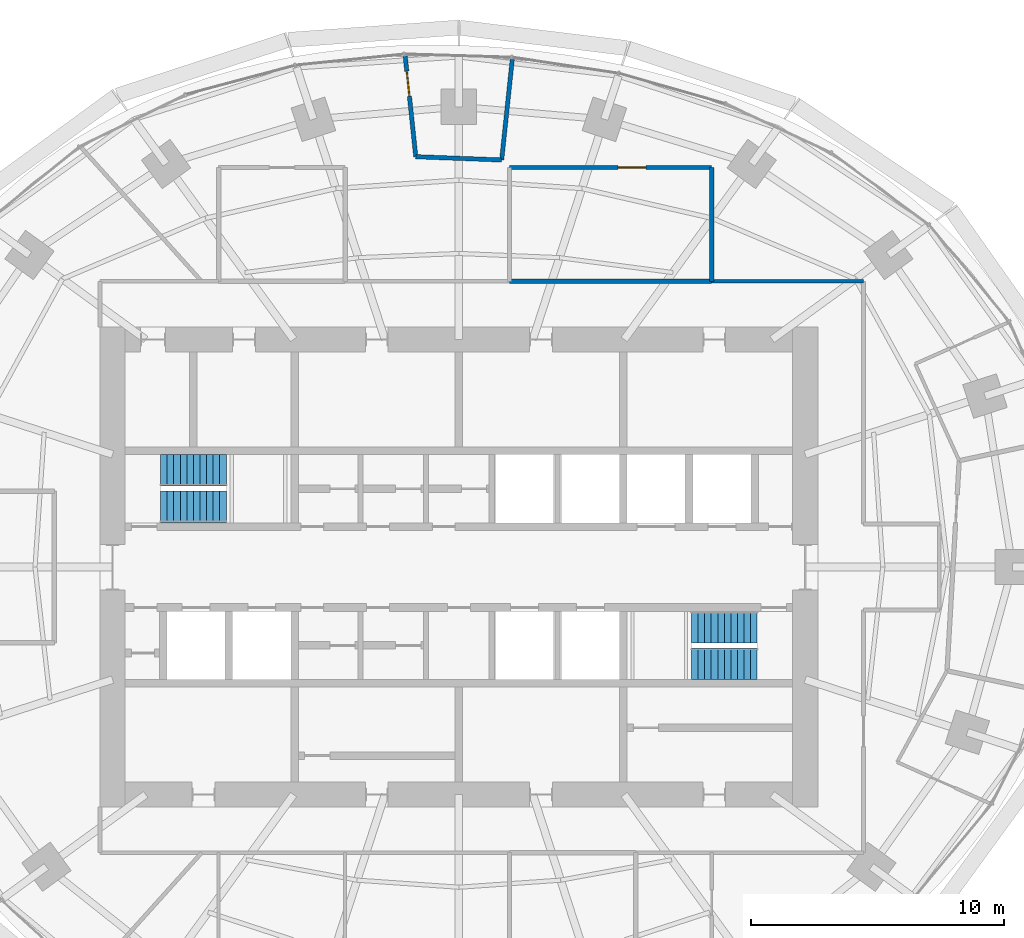
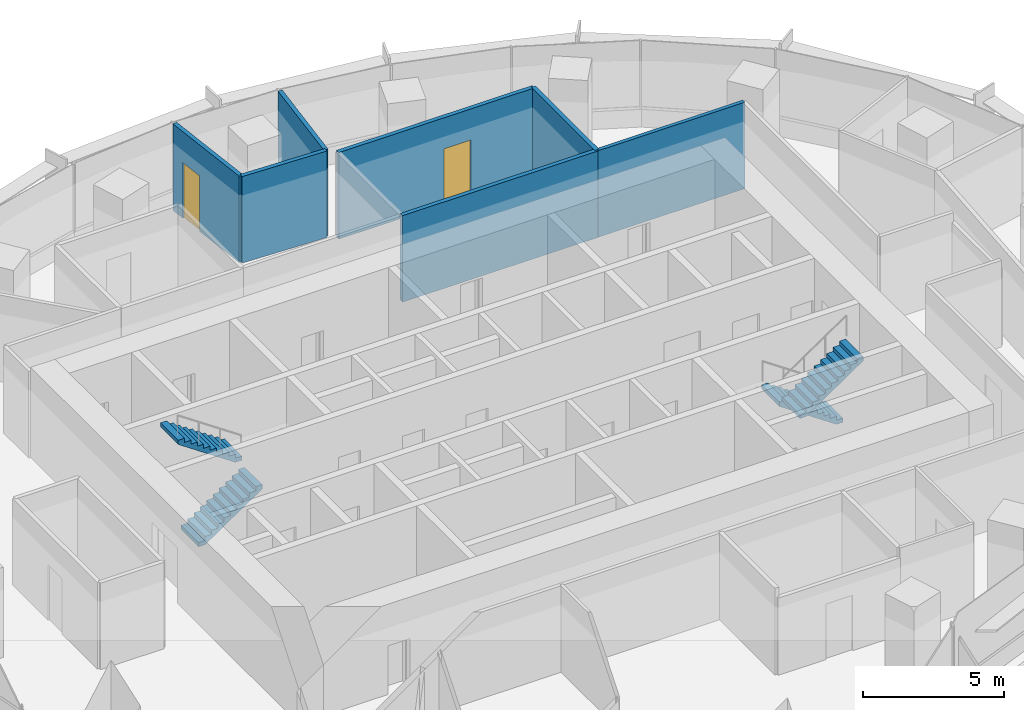
# One storey, part 13 of 15: 7 walls, 4 stair flights, 2 doors, 2 openings, 2 elements without a shape of their own.
"""IFC4 building model written with IfcOpenShell, lengths in metres."""

from ifc_helpers import new_model, si_unit, direction, frame, frame_2d, origin, place, context, subcontext, project, spatial, polyline, rectangle, outline, extrude, material, layer, layer_set, type_object, element, fill, aggregate, save


model = new_model("IFC4")

# Units and contexts
model_context = context("Model", 3, precision=1e-05, world=origin(), true_north=direction((0.0, 1.0)))
body_context = subcontext(model_context, "Body", "Model", "MODEL_VIEW")
ifc_project = project(units=[si_unit("LENGTHUNIT", "METRE"), si_unit("AREAUNIT", "SQUARE_METRE"), si_unit("VOLUMEUNIT", "CUBIC_METRE"), si_unit("PLANEANGLEUNIT", "RADIAN"), si_unit("MASSUNIT", "GRAM", prefix="KILO")], contexts=[model_context])

# Site, building, storey
site_placement = place(None, origin())
site = spatial("IfcSite", under=ifc_project, at=site_placement, CompositionType="ELEMENT")
building_placement = place(site_placement, origin())
building = spatial("IfcBuilding", under=site, at=building_placement, Name="Marramba Exchange Tower", CompositionType="ELEMENT")
storey_placement = place(building_placement, frame((0.0, 0.0, 207.199951171875)))
storey = spatial("IfcBuildingStorey", under=building, at=storey_placement, Name="L50", CompositionType="ELEMENT", Elevation=207.199951171875)

# Walls
ifc_material_1 = material(Name="Plasterboard on staggered double steel studs, acoustic insulation", Category="steel")
ifc_layer_1 = layer(ifc_material_1, 0.169921875)
ifc_layer_set_1 = layer_set([ifc_layer_1], Name="Acoustic partition 170")
wall_type_1 = type_object("IfcWallType", Name="Acoustic partition 170", PredefinedType="PARTITIONING", material=ifc_layer_set_1)
wall_1_placement = place(storey_placement, frame((10.0, 11.300048828125, 0.0), z_axis=(0.0, 0.0, 1.0), x_axis=(0.0, 1.0, 0.0)))
element("IfcWall", 1, at=wall_1_placement, inside=storey, type_object=wall_type_1, Name="Acoustic partition L50 28", PredefinedType="PARTITIONING", context=body_context, shape_type="SweptSolid", body=[
    extrude(rectangle(XDim=4.5, YDim=0.169921875, at=frame_2d((2.25, 0.0))), origin(), (0.0, 0.0, 1.0), 3.739990234375),
])
wall_2_placement = place(storey_placement, frame((2.0, 11.300048828125, 0.0), z_axis=(0.0, 0.0, 1.0), x_axis=(1.0, 0.0, 0.0)))
element("IfcWall", 2, at=wall_2_placement, inside=storey, type_object=wall_type_1, Name="Acoustic partition L50 29", PredefinedType="PARTITIONING", context=body_context, shape_type="SweptSolid", body=[
    extrude(rectangle(XDim=8.0, YDim=0.169921875, at=frame_2d((4.0, 0.0))), origin(), (0.0, 0.0, 1.0), 3.739990234375),
])

# Wall, opening, door
wall_3_placement = place(storey_placement, frame((10.0, 15.800048828125, 0.0), z_axis=(0.0, 0.0, 1.0), x_axis=(-1.0, 0.0, 0.0)))
wall_3 = element("IfcWall", 3, at=wall_3_placement, inside=storey, type_object=wall_type_1, Name="Acoustic partition L50 30", PredefinedType="PARTITIONING", context=body_context, shape_type="SweptSolid", body=[
    extrude(rectangle(XDim=8.0, YDim=0.169921875, at=frame_2d((4.0, 0.0))), origin(), (0.0, 0.0, 1.0), 3.739990234375),
])
opening_1_placement = place(wall_3_placement, frame((2.60009765625, 0.0, 0.0)))
opening_1 = element("IfcOpeningElement", 4, at=opening_1_placement, cuts=wall_3, Name="Opening D15", PredefinedType="OPENING", context=body_context, shape_type="SweptSolid", body=[
    extrude(rectangle(XDim=1.10009765625, YDim=2.39990234375, at=frame_2d((0.550048828125, 1.199951171875))), frame((0.0, 0.094970703125, 0.0), z_axis=(0.0, -1.0, 0.0), x_axis=(1.0, 0.0, 0.0)), (0.0, 0.0, 1.0), 0.18994140625),
])
ifc_material_2 = material(Name="Timber door", Category="wood")
door_type_1 = type_object("IfcDoorType", Name="Glazed meeting room door 1100x2400", OperationType="SINGLE_SWING_LEFT", PredefinedType="DOOR", material=ifc_material_2)
door_1_placement = place(opening_1_placement, origin())
door_1 = element("IfcDoor", 5, at=door_1_placement, inside=storey, type_object=door_type_1, Name="D15 Meeting Room 2 L50", OperationType="SINGLE_SWING_LEFT", OverallHeight=2.39990234375, OverallWidth=1.10009765625, PredefinedType="DOOR", context=body_context, shape_type="SweptSolid", body=[
    extrude(rectangle(XDim=1.10009765625, YDim=2.39990234375, at=frame_2d((0.550048828125, 1.199951171875))), frame((0.0, 0.02490234375, 0.0), z_axis=(0.0, -1.0, 0.0), x_axis=(1.0, 0.0, 0.0)), (0.0, 0.0, 1.0), 0.050048828125),
])
fill(opening_1, door_1)

# Walls
wall_4_placement = place(storey_placement, frame((1.692138671875, 16.099609375, 0.0), z_axis=(0.0, 0.0, 1.0), x_axis=(0.104548171712, 0.99451982373, 0.0)))
element("IfcWall", 6, at=wall_4_placement, inside=storey, type_object=wall_type_1, Name="Acoustic partition L50 32", PredefinedType="PARTITIONING", context=body_context, shape_type="SweptSolid", body=[
    extrude(rectangle(XDim=4.000244140625, YDim=0.169921875, at=frame_2d((2.0, 0.0))), origin(), (0.0, 0.0, 1.0), 3.739990234375),
])
wall_5_placement = place(storey_placement, frame((-1.705810546875, 16.22900390625, 0.0), z_axis=(0.0, 0.0, 1.0), x_axis=(0.999275737391, -0.038052603881, 0.0)))
element("IfcWall", 7, at=wall_5_placement, inside=storey, type_object=wall_type_1, Name="Acoustic partition L50 33", PredefinedType="PARTITIONING", context=body_context, shape_type="SweptSolid", body=[
    extrude(rectangle(XDim=3.400390625, YDim=0.169921875, at=frame_2d((1.7001953125, 0.0))), origin(), (0.0, 0.0, 1.0), 3.739990234375),
])

# Wall, opening, door
wall_6_placement = place(storey_placement, frame((-2.123779296875, 20.20703125, 0.0), z_axis=(0.0, 0.0, 1.0), x_axis=(0.104494148666, -0.99452550138, 0.0)))
wall_6 = element("IfcWall", 8, at=wall_6_placement, inside=storey, type_object=wall_type_1, Name="Acoustic partition L50 34", PredefinedType="PARTITIONING", context=body_context, shape_type="SweptSolid", body=[
    extrude(rectangle(XDim=4.0, YDim=0.169921875, at=frame_2d((2.0, 0.0))), origin(), (0.0, 0.0, 1.0), 3.739990234375),
])
opening_2_placement = place(wall_6_placement, frame((0.60009765625, 0.0, 0.0)))
opening_2 = element("IfcOpeningElement", 9, at=opening_2_placement, cuts=wall_6, Name="Opening D9", PredefinedType="OPENING", context=body_context, shape_type="SweptSolid", body=[
    extrude(rectangle(XDim=1.0, YDim=2.39990234375, at=frame_2d((0.5, 1.199951171875))), frame((0.0, 0.094970703125, 0.0), z_axis=(0.0, -1.0, 0.0), x_axis=(1.0, 0.0, 0.0)), (0.0, 0.0, 1.0), 0.18994140625),
])
door_type_2 = type_object("IfcDoorType", Name="Room door 1000x2400", OperationType="SINGLE_SWING_LEFT", PredefinedType="DOOR", material=ifc_material_2)
door_2_placement = place(opening_2_placement, origin())
door_2 = element("IfcDoor", 10, at=door_2_placement, inside=storey, type_object=door_type_2, Name="D9 Quiet Room 1 L50", OperationType="SINGLE_SWING_LEFT", OverallHeight=2.39990234375, OverallWidth=1.0, PredefinedType="DOOR", context=body_context, shape_type="SweptSolid", body=[
    extrude(rectangle(XDim=1.0, YDim=2.39990234375, at=frame_2d((0.5, 1.199951171875))), frame((0.0, 0.02490234375, 0.0), z_axis=(0.0, -1.0, 0.0), x_axis=(1.0, 0.0, 0.0)), (0.0, 0.0, 1.0), 0.050048828125),
])
fill(opening_2, door_2)

# Wall
ifc_material_3 = material(Name="Fire-rated plasterboard on steel studs, acoustic insulation", Category="steel")
ifc_layer_2 = layer(ifc_material_3, 0.14990234375)
ifc_layer_set_2 = layer_set([ifc_layer_2], Name="Tenancy wall 150")
wall_type_2 = type_object("IfcWallType", Name="Tenancy wall 150", PredefinedType="PARTITIONING", material=ifc_layer_set_2)
wall_7_placement = place(storey_placement, frame((16.0, 11.300048828125, 0.0), z_axis=(0.0, 0.0, 1.0), x_axis=(-1.0, 0.0, 0.0)))
element("IfcWall", 11, at=wall_7_placement, inside=storey, type_object=wall_type_2, Name="Tenancy wall L50 27", PredefinedType="PARTITIONING", context=body_context, shape_type="SweptSolid", body=[
    extrude(rectangle(XDim=6.0, YDim=0.14990234375, at=frame_2d((3.0, 0.0))), origin(), (0.0, 0.0, 1.0), 3.739990234375),
])

# Stair, stair flights
ifc_material_4 = material(Name="Concrete N40 (40 MPa)", Category="concrete")
stair_type_1 = type_object("IfcStairType", Name="Exit stair ST1 3900 x 1250", PredefinedType="HALF_TURN_STAIR", material=ifc_material_4)
stair_1_placement = place(storey_placement, origin())
stair_1 = element("IfcStair", 12, at=stair_1_placement, inside=storey, type_object=stair_type_1, Name="Exit stair ST1 L50", PredefinedType="HALF_TURN_STAIR")
stair_flight_type_1 = type_object("IfcStairFlightType", Name="ST1 stair flight 1773 riser 1250 wide", PredefinedType="STRAIGHT", material=ifc_material_4)
stair_flight_1_placement = place(storey_placement, frame((-11.800048828125, 2.375, 0.0), z_axis=(0.0, 0.0, 1.0), x_axis=(1.0, 0.0, 0.0)))
stair_flight_1 = element("IfcStairFlight", 13, at=stair_flight_1_placement, type_object=stair_flight_type_1, Name="ST1 flight 1", NumberOfRisers=11, NumberOfTreads=10, PredefinedType="STRAIGHT", RiserHeight=0.177272727, TreadLength=0.26, context=body_context, shape_type="SweptSolid", body=[
    extrude(outline(polyline([(0.0, 0.0), (0.0, 0.17724609375), (0.260009765625, 0.17724609375), (0.260009765625, 0.3544921875), (0.52001953125, 0.3544921875), (0.52001953125, 0.53173828125), (0.780029296875, 0.53173828125), (0.780029296875, 0.708984375), (1.0400390625, 0.708984375), (1.0400390625, 0.886474609375), (1.300048828125, 0.886474609375), (1.300048828125, 1.063720703125), (1.56005859375, 1.063720703125), (1.56005859375, 1.240966796875), (1.820068359375, 1.240966796875), (1.820068359375, 1.418212890625), (2.080078125, 1.418212890625), (2.080078125, 1.595458984375), (2.340087890625, 1.595458984375), (2.340087890625, 1.772705078125), (2.60009765625, 1.772705078125), (2.60009765625, 1.949951171875), (2.60009765625, 1.59130859375), (0.26611328125, 0.0), (0.0, 0.0)])), frame((0.0, 0.625, 0.0), z_axis=(0.0, -1.0, 0.0), x_axis=(1.0, 0.0, 0.0)), (0.0, 0.0, 1.0), 1.25),
])
stair_flight_2_placement = place(storey_placement, frame((-9.199951171875, 3.824951171875, 1.949951171875), z_axis=(0.0, 0.0, 1.0), x_axis=(-1.0, 0.0, 0.0)))
stair_flight_2 = element("IfcStairFlight", 14, at=stair_flight_2_placement, type_object=stair_flight_type_1, Name="ST1 flight 2", NumberOfRisers=11, NumberOfTreads=10, PredefinedType="STRAIGHT", RiserHeight=0.177272727, TreadLength=0.26, context=body_context, shape_type="SweptSolid", body=[
    extrude(outline(polyline([(0.0, 0.0), (0.0, 0.17724609375), (0.260009765625, 0.17724609375), (0.260009765625, 0.3544921875), (0.52001953125, 0.3544921875), (0.52001953125, 0.53173828125), (0.780029296875, 0.53173828125), (0.780029296875, 0.708984375), (1.0400390625, 0.708984375), (1.0400390625, 0.886474609375), (1.300048828125, 0.886474609375), (1.300048828125, 1.063720703125), (1.56005859375, 1.063720703125), (1.56005859375, 1.240966796875), (1.820068359375, 1.240966796875), (1.820068359375, 1.418212890625), (2.080078125, 1.418212890625), (2.080078125, 1.595458984375), (2.340087890625, 1.595458984375), (2.340087890625, 1.772705078125), (2.60009765625, 1.772705078125), (2.60009765625, 1.949951171875), (2.60009765625, 1.59130859375), (0.26611328125, 0.0), (0.0, 0.0)])), frame((0.0, 0.625, 0.0), z_axis=(0.0, -1.0, 0.0), x_axis=(1.0, 0.0, 0.0)), (0.0, 0.0, 1.0), 1.25),
])
aggregate(stair_1, [stair_flight_1, stair_flight_2])

stair_type_2 = type_object("IfcStairType", Name="Exit stair ST2 3900 x 1250", PredefinedType="HALF_TURN_STAIR", material=ifc_material_4)
stair_2_placement = place(storey_placement, origin())
stair_2 = element("IfcStair", 15, at=stair_2_placement, inside=storey, type_object=stair_type_2, Name="Exit stair ST2 L50", PredefinedType="HALF_TURN_STAIR")
stair_flight_type_2 = type_object("IfcStairFlightType", Name="ST2 stair flight 1773 riser 1250 wide", PredefinedType="STRAIGHT", material=ifc_material_4)
stair_flight_3_placement = place(storey_placement, frame((11.800048828125, -2.375, 0.0), z_axis=(0.0, 0.0, 1.0), x_axis=(-1.0, 0.0, 0.0)))
stair_flight_3 = element("IfcStairFlight", 16, at=stair_flight_3_placement, type_object=stair_flight_type_2, Name="ST2 flight 1", NumberOfRisers=11, NumberOfTreads=10, PredefinedType="STRAIGHT", RiserHeight=0.177272727, TreadLength=0.26, context=body_context, shape_type="SweptSolid", body=[
    extrude(outline(polyline([(0.0, 0.0), (0.0, 0.17724609375), (0.260009765625, 0.17724609375), (0.260009765625, 0.3544921875), (0.52001953125, 0.3544921875), (0.52001953125, 0.53173828125), (0.780029296875, 0.53173828125), (0.780029296875, 0.708984375), (1.0400390625, 0.708984375), (1.0400390625, 0.886474609375), (1.300048828125, 0.886474609375), (1.300048828125, 1.063720703125), (1.56005859375, 1.063720703125), (1.56005859375, 1.240966796875), (1.820068359375, 1.240966796875), (1.820068359375, 1.418212890625), (2.080078125, 1.418212890625), (2.080078125, 1.595458984375), (2.340087890625, 1.595458984375), (2.340087890625, 1.772705078125), (2.60009765625, 1.772705078125), (2.60009765625, 1.949951171875), (2.60009765625, 1.59130859375), (0.26611328125, 0.0), (0.0, 0.0)])), frame((0.0, 0.625, 0.0), z_axis=(0.0, -1.0, 0.0), x_axis=(1.0, 0.0, 0.0)), (0.0, 0.0, 1.0), 1.25),
])
stair_flight_4_placement = place(storey_placement, frame((9.199951171875, -3.824951171875, 1.949951171875), z_axis=(0.0, 0.0, 1.0), x_axis=(1.0, 0.0, 0.0)))
stair_flight_4 = element("IfcStairFlight", 17, at=stair_flight_4_placement, type_object=stair_flight_type_2, Name="ST2 flight 2", NumberOfRisers=11, NumberOfTreads=10, PredefinedType="STRAIGHT", RiserHeight=0.177272727, TreadLength=0.26, context=body_context, shape_type="SweptSolid", body=[
    extrude(outline(polyline([(0.0, 0.0), (0.0, 0.17724609375), (0.260009765625, 0.17724609375), (0.260009765625, 0.3544921875), (0.52001953125, 0.3544921875), (0.52001953125, 0.53173828125), (0.780029296875, 0.53173828125), (0.780029296875, 0.708984375), (1.0400390625, 0.708984375), (1.0400390625, 0.886474609375), (1.300048828125, 0.886474609375), (1.300048828125, 1.063720703125), (1.56005859375, 1.063720703125), (1.56005859375, 1.240966796875), (1.820068359375, 1.240966796875), (1.820068359375, 1.418212890625), (2.080078125, 1.418212890625), (2.080078125, 1.595458984375), (2.340087890625, 1.595458984375), (2.340087890625, 1.772705078125), (2.60009765625, 1.772705078125), (2.60009765625, 1.949951171875), (2.60009765625, 1.59130859375), (0.26611328125, 0.0), (0.0, 0.0)])), frame((0.0, 0.625, 0.0), z_axis=(0.0, -1.0, 0.0), x_axis=(1.0, 0.0, 0.0)), (0.0, 0.0, 1.0), 1.25),
])
aggregate(stair_2, [stair_flight_3, stair_flight_4])

save(model, "model.ifc")
